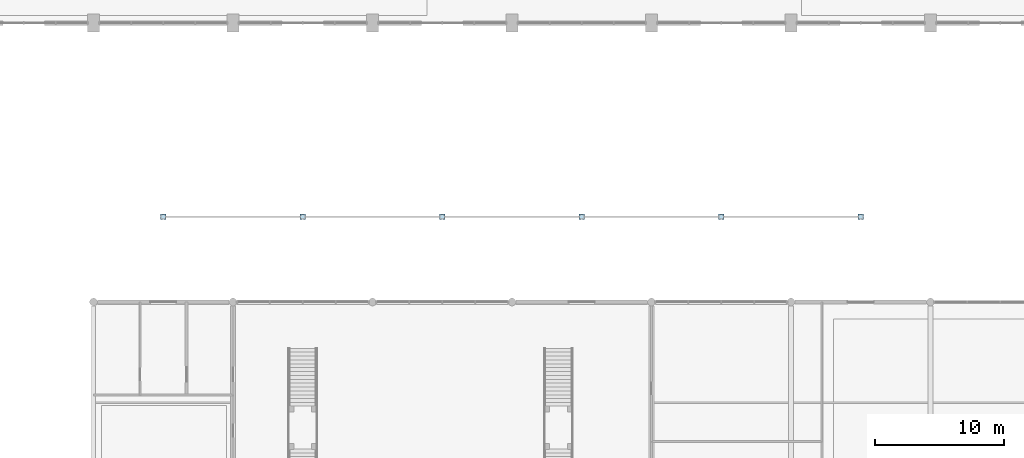
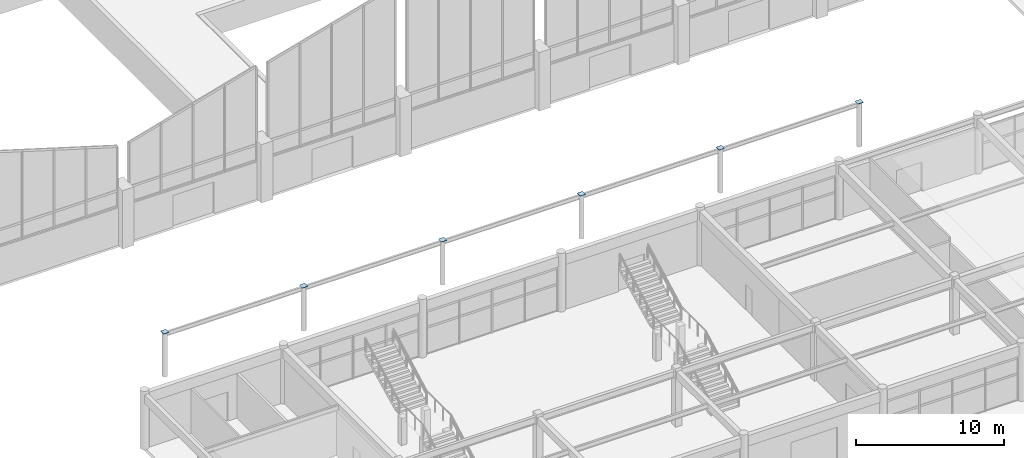
# One storey, part 46 of 82: 6 plates.
"""IFC4 building model written with IfcOpenShell, lengths in metres."""

from ifc_helpers import new_model, si_unit, direction, frame, origin, origin_2d, place, context, subcontext, project, spatial, rectangle, extrude, material, layer, layer_set, type_object, element, save


model = new_model("IFC4")

# Units and contexts
model_context = context("Model", 3, precision=1e-05, world=origin(), true_north=direction((0.0, 1.0)))
body_context = subcontext(model_context, "Body", "Model", "MODEL_VIEW")
ifc_project = project(units=[si_unit("LENGTHUNIT", "METRE"), si_unit("AREAUNIT", "SQUARE_METRE"), si_unit("VOLUMEUNIT", "CUBIC_METRE"), si_unit("PLANEANGLEUNIT", "RADIAN"), si_unit("MASSUNIT", "GRAM", prefix="KILO")], contexts=[model_context])

# Site, building, storey
site_placement = place(None, origin())
site = spatial("IfcSite", under=ifc_project, at=site_placement, CompositionType="ELEMENT")
building_placement = place(site_placement, origin())
building = spatial("IfcBuilding", under=site, at=building_placement, Name="Suirenkawa Promenade Aquatics Centre", CompositionType="ELEMENT")
storey_placement = place(building_placement, origin())
storey = spatial("IfcBuildingStorey", under=building, at=storey_placement, Name="L00", CompositionType="ELEMENT", Elevation=0.0)

# Plates
ifc_material = material(Name="Steel IS 2062 E350 (Grade 350)", Category="steel")
ifc_layer = layer(ifc_material, 0.02392578125, Name="Steel IS 2062 E350 (Grade 350)", Category="steel")
ifc_layer_set = layer_set([ifc_layer], Name="Steel IS 2062 E350 (Grade 350)")
plate_type = type_object("IfcPlateType", Name="PLT-BEAR-450x450x24", PredefinedType="SHEET", material=ifc_layer_set)
for number, where, z_axis, x_axis, name in (
    (1, (84.60009765625, 35.39990234375, 3.60009765625), (0.0, 0.0, 1.0), (1.0, 0.0, 0.0), "Truss node plate TN-03 PLG-0266"),
    (2, (95.39990234375, 35.39990234375, 3.60009765625), (0.0, 0.0, 1.0), (1.0, 0.0, 0.0), "Truss node plate TN-03 PLG-0267"),
    (3, (106.199951171875, 35.39990234375, 3.60009765625), (0.0, 0.0, 1.0), (1.0, 0.0, 0.0), "Truss node plate TN-03 PLG-0268"),
    (4, (117.0, 35.39990234375, 3.60009765625), (0.0, 0.0, 1.0), (1.0, 0.0, 0.0), "Truss node plate TN-03 PLG-0269"),
    (5, (127.800048828125, 35.39990234375, 3.60009765625), (0.0, 0.0, 1.0), (1.0, 0.0, 0.0), "Truss node plate TN-03 PLG-0270"),
    (6, (138.60009765625, 35.39990234375, 3.60009765625), (0.0, 0.0, 1.0), (1.0, 0.0, 0.0), "Truss node plate TN-03 PLG-0271"),
):
    element("IfcPlate", number, at=place(storey_placement, frame(where, z_axis=z_axis, x_axis=x_axis)), inside=storey, type_object=plate_type, Name=name, PredefinedType="SHEET", context=body_context, shape_type="SweptSolid", body=[
        extrude(rectangle(XDim=0.419921875, YDim=0.419921875, at=origin_2d()), origin(), (0.0, 0.0, 1.0), 0.02392578125),
    ])

save(model, "model.ifc")
